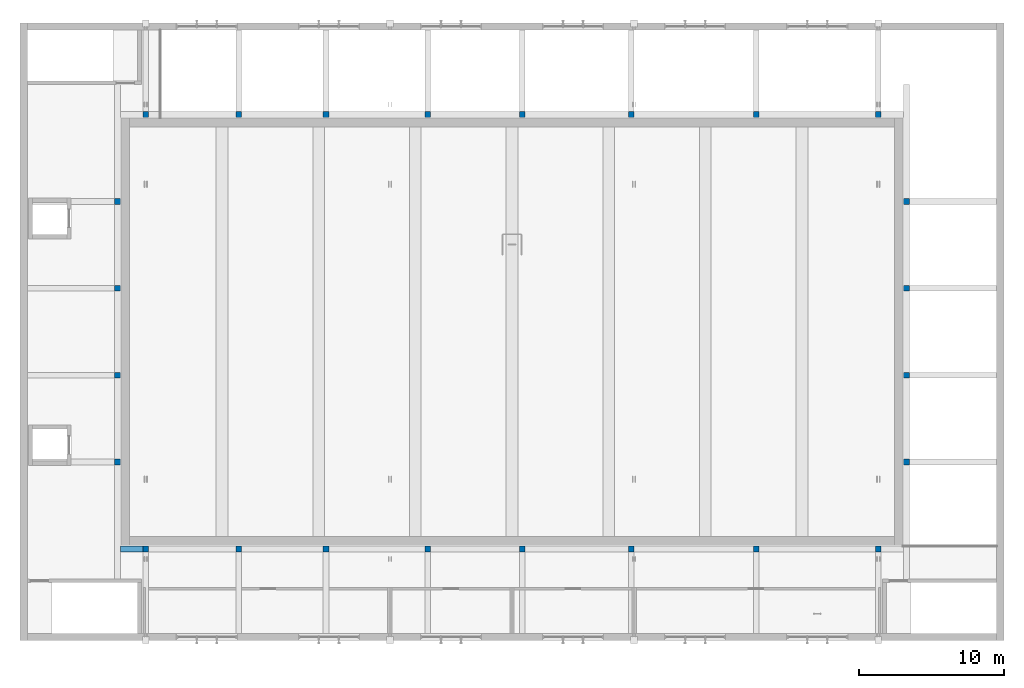
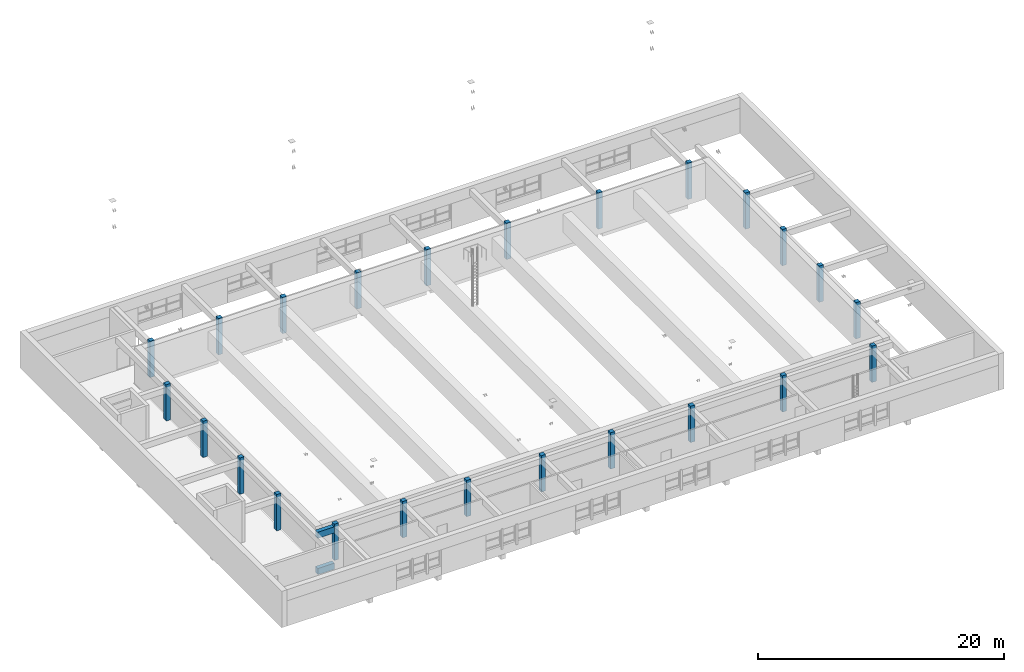
# One storey, part 1 of 28: 24 columns, 2 beams.
"""IFC4 building model written with IfcOpenShell, lengths in metres."""

import ifcopenshell
import ifcopenshell.guid

model = None  # the IFC model being written
_history = None  # IfcOwnerHistory: only IFC2X3 demands one
_inside = {}  # id of a spatial element -> (the spatial element, [elements in it])
_under = {}  # id of a project, library or spatial element -> (it, [spatial elements below it])
_declared = {}  # id of a project -> (the project, [libraries it declares])
_typed = {}  # id of a type object -> (the type object, [elements of that type])
_made_of = {}  # id of a material, layer set ... -> (it, [elements and type objects made of it])


def new_model(schema):
    """Start an empty IFC model of exactly this schema.

    Asked for "IFC4X3", IfcOpenShell would pick the latest addendum, in which some entities
    have other attributes; the version numbers below select the first issue.
    IFC2X3 requires an IfcOwnerHistory on every rooted entity: one is made here for all.
    """
    global model, _history
    if schema == "IFC4X3":
        model = ifcopenshell.file(schema_version=(4, 3, 0, 0))
    else:
        model = ifcopenshell.file(schema=schema)
    _inside.clear()
    _under.clear()
    _declared.clear()
    _typed.clear()
    _made_of.clear()
    _history = None
    if model.schema == "IFC2X3":
        org = make("IfcOrganization", Name="unknown")
        user = make(
            "IfcPersonAndOrganization",
            ThePerson=make("IfcPerson", FamilyName="unknown"),
            TheOrganization=org,
        )
        app = make(
            "IfcApplication",
            ApplicationDeveloper=org,
            Version="unknown",
            ApplicationFullName="unknown",
            ApplicationIdentifier="unknown",
        )
        _history = make(
            "IfcOwnerHistory",
            OwningUser=user,
            OwningApplication=app,
            ChangeAction="ADDED",
            CreationDate=0,
        )
    return model


def make(cls, **values):
    """One entity of the class cls with the attributes given. An attribute that is None is left unset."""
    return model.create_entity(
        cls, **{name: value for name, value in values.items() if value is not None}
    )


def rooted(cls, **values):
    """An entity with a GlobalId (a new one), such as an element, a storey or a relation."""
    return make(cls, GlobalId=ifcopenshell.guid.new(), OwnerHistory=_history, **values)


def si_unit(unit_type, name, prefix=None):
    """IfcSIUnit, for example si_unit("LENGTHUNIT", "METRE", prefix="MILLI")."""
    return make("IfcSIUnit", UnitType=unit_type, Prefix=prefix, Name=name)


def assignment(units):
    """IfcUnitAssignment: the units of a project."""
    return None if units is None else make("IfcUnitAssignment", Units=units)


def point(xyz):
    """IfcCartesianPoint."""
    return None if xyz is None else make("IfcCartesianPoint", Coordinates=xyz)


def direction(xyz):
    """IfcDirection."""
    return None if xyz is None else make("IfcDirection", DirectionRatios=xyz)


def frame(location, z_axis=None, x_axis=None):
    """IfcAxis2Placement3D, a coordinate frame: its origin and axes. An axis left out is left unset."""
    return make(
        "IfcAxis2Placement3D",
        Location=point(location),
        Axis=direction(z_axis),
        RefDirection=direction(x_axis),
    )


def frame_2d(location, x_axis=None):
    """IfcAxis2Placement2D, a coordinate frame in the plane: its origin and x axis."""
    return make(
        "IfcAxis2Placement2D", Location=point(location), RefDirection=direction(x_axis)
    )


def origin():
    """The frame at (0, 0, 0) with its axes left unset."""
    return frame((0.0, 0.0, 0.0))


def origin_2d():
    """The frame at (0, 0) in the plane with its x axis left unset."""
    return frame_2d((0.0, 0.0))


def place(relative_to, where):
    """IfcLocalPlacement: puts the frame where relative to a parent placement (None: the world)."""
    return make(
        "IfcLocalPlacement", PlacementRelTo=relative_to, RelativePlacement=where
    )


def context(
    kind, dimensions, precision=None, world=None, true_north=None, identifier=None
):
    """IfcGeometricRepresentationContext, for example the 3D "Model" context."""
    return make(
        "IfcGeometricRepresentationContext",
        ContextIdentifier=identifier,
        ContextType=kind,
        CoordinateSpaceDimension=dimensions,
        Precision=precision,
        WorldCoordinateSystem=world,
        TrueNorth=true_north,
    )


def subcontext(parent, identifier, kind, view, scale=None):
    """IfcGeometricRepresentationSubContext, for example "Body" below "Model"."""
    return make(
        "IfcGeometricRepresentationSubContext",
        ContextIdentifier=identifier,
        ContextType=kind,
        ParentContext=parent,
        TargetScale=scale,
        TargetView=view,
    )


def project(units=None, contexts=None):
    """IfcProject with its units and contexts."""
    return rooted(
        "IfcProject",
        Name="project",
        RepresentationContexts=contexts,
        UnitsInContext=assignment(units),
    )


def spatial(cls, under=None, at=None, **own):
    """A site, building, storey or space (cls), placed at a placement, below another one or the project."""
    s = rooted(cls, ObjectPlacement=at, **own)
    if under is not None:
        _under.setdefault(under.id(), (under, []))[1].append(s)
    return s


def profile(cls, at=None, kind="AREA", **sizes):
    """A parametric profile (cls). Its sizes go by their IFC names, for example OverallWidth=200.0."""
    return make(cls, ProfileType=kind, Position=at, **sizes)


def rectangle(**sizes):
    """IfcRectangleProfileDef."""
    return profile("IfcRectangleProfileDef", **sizes)


def extrude(swept, where, along, depth):
    """IfcExtrudedAreaSolid: the profile swept, set in the frame where, extruded along a direction by depth."""
    return make(
        "IfcExtrudedAreaSolid",
        SweptArea=swept,
        Position=where,
        ExtrudedDirection=direction(along),
        Depth=depth,
    )


def shape(context_of_items, identifier, shape_type, items):
    """IfcShapeRepresentation: the items that make up one representation, for example the "Body"."""
    return make(
        "IfcShapeRepresentation",
        ContextOfItems=context_of_items,
        RepresentationIdentifier=identifier,
        RepresentationType=shape_type,
        Items=items,
    )


def material(Name=None, Category=None):
    """IfcMaterial."""
    return make("IfcMaterial", Name=Name, Category=Category)


def material_profile(
    of_material, cross_section, Name=None, Category=None, Priority=None
):
    """IfcMaterialProfile: a cross section and its material."""
    return make(
        "IfcMaterialProfile",
        Name=Name,
        Material=of_material,
        Profile=cross_section,
        Priority=Priority,
        Category=Category,
    )


def profile_set(profiles, Name=None, composite=None):
    """IfcMaterialProfileSet."""
    return make(
        "IfcMaterialProfileSet",
        Name=Name,
        MaterialProfiles=profiles,
        CompositeProfile=composite,
    )


def made_of(thing, what):
    """Note that an element or type object is made of a material, layer set ...; save() writes the relation."""
    if what is not None:
        _made_of.setdefault(what.id(), (what, []))[1].append(thing)
    return thing


def type_object(cls, material=None, **own):
    """A type object (cls), such as IfcWallType, which elements share."""
    return made_of(rooted(cls, **own), material)


def element(
    cls,
    number,
    at=None,
    inside=None,
    cuts=None,
    type_object=None,
    material=None,
    context=None,
    identifier="Body",
    shape_type=None,
    held_by="IfcProductDefinitionShape",
    body=None,
    shapes=None,
    **own,
):
    """One element of the class cls, such as IfcWall. Its Tag is "e" and its number.

    at: its placement. inside: the storey or other place that contains it. cuts: it is an
    opening in that element (IfcRelVoidsElement). A single representation is given by context,
    identifier, shape_type and body (its items); several are given by shapes. held_by: the class
    of the entity that holds the representations. save() writes the other relations.
    """
    e = rooted(cls, Tag="e%d" % number, ObjectPlacement=at, **own)
    if body is not None:
        shapes = [shape(context, identifier, shape_type, body)]
    if shapes is not None:
        e.Representation = make(held_by, Representations=shapes)
    if inside is not None:
        _inside.setdefault(inside.id(), (inside, []))[1].append(e)
    if cuts is not None:
        rooted(
            "IfcRelVoidsElement", RelatingBuildingElement=cuts, RelatedOpeningElement=e
        )
    if type_object is not None:
        _typed.setdefault(type_object.id(), (type_object, []))[1].append(e)
    return made_of(e, material)


def aggregate(whole, parts):
    """IfcRelAggregates: a whole, such as a stair, and the parts it consists of."""
    return rooted("IfcRelAggregates", RelatingObject=whole, RelatedObjects=parts)


def save(model, path):
    """Write the relations noted so far, then the file.

    IfcRelAggregates (storeys below a building ...), IfcRelContainedInSpatialStructure (elements
    in a storey), IfcRelDefinesByType, IfcRelAssociatesMaterial and IfcRelDeclares: one each for
    every whole, place, type object, material and project.
    """
    for whole, parts in _under.values():
        aggregate(whole, parts)
    for where, things in _inside.values():
        rooted(
            "IfcRelContainedInSpatialStructure",
            RelatedElements=things,
            RelatingStructure=where,
        )
    for kind, things in _typed.values():
        rooted("IfcRelDefinesByType", RelatedObjects=things, RelatingType=kind)
    for what, things in _made_of.values():
        rooted("IfcRelAssociatesMaterial", RelatedObjects=things, RelatingMaterial=what)
    for by, libraries in _declared.values():
        rooted("IfcRelDeclares", RelatingContext=by, RelatedDefinitions=libraries)
    model.write(path)


model = new_model("IFC4")

# Units and contexts
model_context = context("Model", 3, precision=1e-05, world=origin(), true_north=direction((0.0, 1.0)))
body_context = subcontext(model_context, "Body", "Model", "MODEL_VIEW")
ifc_project = project(units=[si_unit("LENGTHUNIT", "METRE"), si_unit("AREAUNIT", "SQUARE_METRE"), si_unit("VOLUMEUNIT", "CUBIC_METRE"), si_unit("PLANEANGLEUNIT", "RADIAN"), si_unit("MASSUNIT", "GRAM", prefix="KILO")], contexts=[model_context])

# Site, building, storey
site_placement = place(None, origin())
site = spatial("IfcSite", under=ifc_project, at=site_placement, CompositionType="ELEMENT")
building_placement = place(site_placement, origin())
building = spatial("IfcBuilding", under=site, at=building_placement, Name="Ljudholm Concert House", CompositionType="ELEMENT")
storey_placement = place(building_placement, frame((0.0, 0.0, 19.199951171875)))
storey = spatial("IfcBuildingStorey", under=building, at=storey_placement, Name="L04", CompositionType="ELEMENT", Elevation=19.199951171875)

# Columns
ifc_material_1 = material(Name="Concrete 6,500 psi", Category="concrete")
ifc_material_profile_1 = material_profile(ifc_material_1, rectangle(XDim=0.39990234375, YDim=0.39990234375, at=origin_2d()), Name="RC COLUMN 400x400")
ifc_profile_set_1 = profile_set([ifc_material_profile_1], Name="Concrete 6,500 psi")
column_type = type_object("IfcColumnType", Name="RC COLUMN 400x400", PredefinedType="COLUMN", material=ifc_profile_set_1)
for number, where, z_axis, x_axis, name in (
    (1, (37.60009765625, 60.449951171875, 0.0), (0.0, 0.0, 1.0), (1.0, 0.0, 0.0), "Ring column"),
    (2, (44.0, 60.449951171875, 0.0), (0.0, 0.0, 1.0), (1.0, 0.0, 0.0), "Ring column"),
    (3, (50.0, 60.449951171875, 0.0), (0.0, 0.0, 1.0), (1.0, 0.0, 0.0), "Ring column"),
    (4, (57.0, 60.449951171875, 0.0), (0.0, 0.0, 1.0), (1.0, 0.0, 0.0), "Ring column"),
    (5, (63.5, 60.449951171875, 0.0), (0.0, 0.0, 1.0), (1.0, 0.0, 0.0), "Ring column"),
    (6, (71.0, 60.449951171875, 0.0), (0.0, 0.0, 1.0), (1.0, 0.0, 0.0), "Ring column"),
    (7, (79.60009765625, 60.449951171875, 0.0), (0.0, 0.0, 1.0), (1.0, 0.0, 0.0), "Ring column"),
    (8, (88.0, 60.449951171875, 0.0), (0.0, 0.0, 1.0), (1.0, 0.0, 0.0), "Ring column"),
    (9, (37.60009765625, 90.35009765625, 0.0), (0.0, 0.0, 1.0), (1.0, 0.0, 0.0), "Ring column"),
    (10, (44.0, 90.35009765625, 0.0), (0.0, 0.0, 1.0), (1.0, 0.0, 0.0), "Ring column"),
    (11, (50.0, 90.35009765625, 0.0), (0.0, 0.0, 1.0), (1.0, 0.0, 0.0), "Ring column"),
    (12, (57.0, 90.35009765625, 0.0), (0.0, 0.0, 1.0), (1.0, 0.0, 0.0), "Ring column"),
    (13, (63.5, 90.35009765625, 0.0), (0.0, 0.0, 1.0), (1.0, 0.0, 0.0), "Ring column"),
    (14, (71.0, 90.35009765625, 0.0), (0.0, 0.0, 1.0), (1.0, 0.0, 0.0), "Ring column"),
    (15, (79.60009765625, 90.35009765625, 0.0), (0.0, 0.0, 1.0), (1.0, 0.0, 0.0), "Ring column"),
    (16, (88.0, 90.35009765625, 0.0), (0.0, 0.0, 1.0), (1.0, 0.0, 0.0), "Ring column"),
    (17, (35.64990234375, 66.429931640625, 0.0), (0.0, 0.0, 1.0), (1.0, 0.0, 0.0), "Ring column"),
    (18, (35.64990234375, 72.409912109375, 0.0), (0.0, 0.0, 1.0), (1.0, 0.0, 0.0), "Ring column"),
    (19, (35.64990234375, 78.389892578125, 0.0), (0.0, 0.0, 1.0), (1.0, 0.0, 0.0), "Ring column"),
    (20, (35.64990234375, 84.3701171875, 0.0), (0.0, 0.0, 1.0), (1.0, 0.0, 0.0), "Ring column"),
    (21, (89.949951171875, 66.429931640625, 0.0), (0.0, 0.0, 1.0), (1.0, 0.0, 0.0), "Ring column"),
    (22, (89.949951171875, 72.409912109375, 0.0), (0.0, 0.0, 1.0), (1.0, 0.0, 0.0), "Ring column"),
    (23, (89.949951171875, 78.389892578125, 0.0), (0.0, 0.0, 1.0), (1.0, 0.0, 0.0), "Ring column"),
    (24, (89.949951171875, 84.3701171875, 0.0), (0.0, 0.0, 1.0), (1.0, 0.0, 0.0), "Ring column"),
):
    element("IfcColumn", number, at=place(storey_placement, frame(where, z_axis=z_axis, x_axis=x_axis)), inside=storey, type_object=column_type, Name=name, PredefinedType="COLUMN", context=body_context, shape_type="SweptSolid", body=[
        extrude(rectangle(XDim=0.39990234375, YDim=0.39990234375, at=origin_2d()), origin(), (0.0, 0.0, 1.0), 3.60009765625),
    ])

# Beams
ifc_material_2 = material(Name="Concrete 6,500 psi", Category="concrete")
ifc_material_profile_2 = material_profile(ifc_material_2, rectangle(XDim=0.39990234375, YDim=0.60009765625, at=origin_2d()), Name="RC BEAM 400x600")
ifc_profile_set_2 = profile_set([ifc_material_profile_2], Name="Concrete 6,500 psi")
beam_type = type_object("IfcBeamType", Name="RC BEAM 400x600", PredefinedType="BEAM", material=ifc_profile_set_2)
for number, where, z_axis, x_axis, name in (
    (25, (35.85009765625, 60.449951171875, -0.550048828125), (1.0, 0.0, 0.0), (0.0, 1.0, 0.0), "Ring beam"),
    (26, (35.85009765625, 60.449951171875, 3.050048828125), (1.0, 0.0, 0.0), (0.0, 1.0, 0.0), "Ring beam"),
):
    element("IfcBeam", number, at=place(storey_placement, frame(where, z_axis=z_axis, x_axis=x_axis)), inside=storey, type_object=beam_type, Name=name, PredefinedType="BEAM", context=body_context, shape_type="SweptSolid", body=[
        extrude(rectangle(XDim=0.39990234375, YDim=0.60009765625, at=origin_2d()), origin(), (0.0, 0.0, 1.0), 1.5498046875),
    ])

save(model, "model.ifc")
